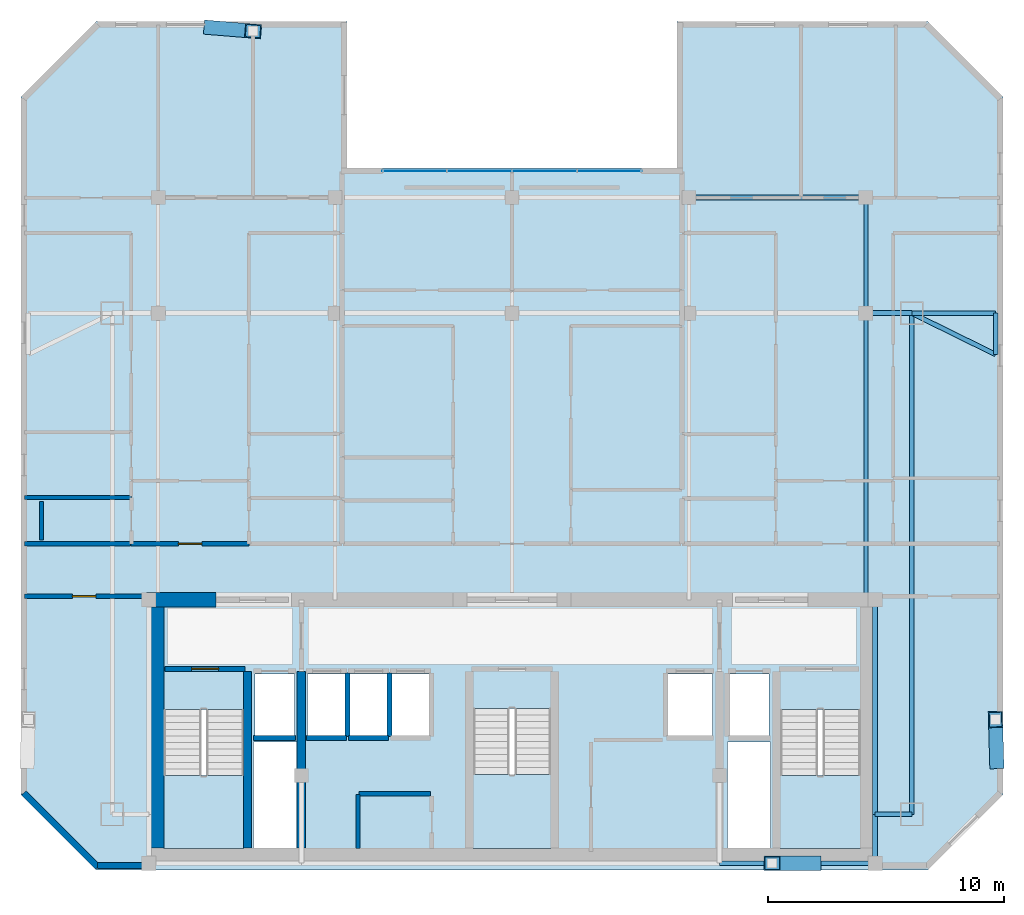
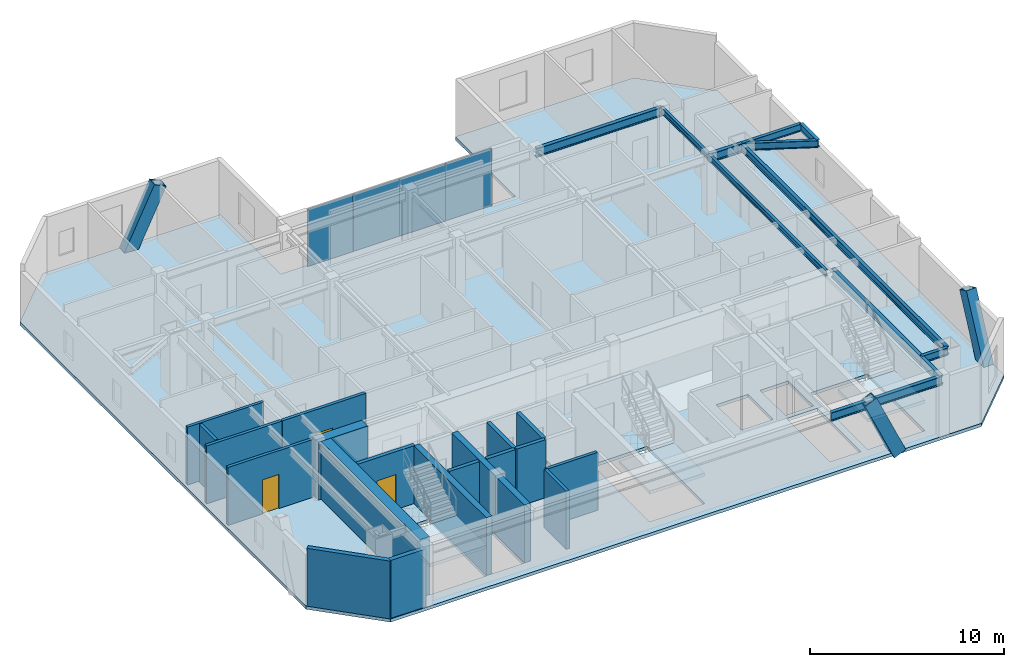
# One storey, part 5 of 11: 19 walls, 12 beams, 4 plates, 4 slabs, 3 doors, 3 members, 3 openings, 4 elements without a shape of their own.
"""IFC4 building model written with IfcOpenShell, lengths in metres."""

from ifc_helpers import new_model, si_unit, direction, frame, frame_2d, origin, origin_2d, place, context, subcontext, project, spatial, polyline, rectangle, hollow_rectangle, i_section, outline, extrude, material, layer, layer_set, material_profile, profile_set, type_object, element, fill, aggregate, save


model = new_model("IFC4")

# Units and contexts
model_context = context("Model", 3, precision=1e-05, world=origin(), true_north=direction((0.0, 1.0)))
body_context = subcontext(model_context, "Body", "Model", "MODEL_VIEW")
ifc_project = project(units=[si_unit("LENGTHUNIT", "METRE"), si_unit("AREAUNIT", "SQUARE_METRE"), si_unit("VOLUMEUNIT", "CUBIC_METRE"), si_unit("PLANEANGLEUNIT", "RADIAN"), si_unit("MASSUNIT", "GRAM", prefix="KILO")], contexts=[model_context])

# Site, building, storey
site_placement = place(None, origin())
site = spatial("IfcSite", under=ifc_project, at=site_placement, CompositionType="ELEMENT")
building_placement = place(site_placement, origin())
building = spatial("IfcBuilding", under=site, at=building_placement, Name="Ventersveld Concourse Tower", CompositionType="ELEMENT")
storey_placement = place(building_placement, frame((0.0, 0.0, 256.75)))
storey = spatial("IfcBuildingStorey", under=building, at=storey_placement, Name="L63", CompositionType="ELEMENT", Elevation=256.75)

# Beams
ifc_material_1 = material(Name="Structural steel S355J2", Category="steel")
ifc_material_profile_1 = material_profile(ifc_material_1, i_section(OverallWidth=0.17138671875, OverallDepth=0.35498046875, WebThickness=0.00732421875, FlangeThickness=0.011474609375, FilletRadius=0.01025390625, at=origin_2d()), Name="UB 356x171x51")
ifc_profile_set_1 = profile_set([ifc_material_profile_1], Name="Structural steel S355J2")
beam_type_1 = type_object("IfcBeamType", Name="BM-UB356", PredefinedType="BEAM", material=ifc_profile_set_1)
beam_1_placement = place(storey_placement, frame((43.75, 11.449951171875, 3.472412109375), z_axis=(0.0, 1.0, 0.0), x_axis=(-1.0, 0.0, 0.0)))
element("IfcBeam", 1, at=beam_1_placement, inside=storey, type_object=beam_type_1, Name="L63 N-S Composite Floor Beam South X=43.75", PredefinedType="BEAM", context=body_context, shape_type="SweptSolid", body=[
    extrude(i_section(OverallWidth=0.17138671875, OverallDepth=0.35498046875, WebThickness=0.00732421875, FlangeThickness=0.011474609375, FilletRadius=0.01025390625, at=origin_2d()), origin(), (0.0, 0.0, 1.0), 12.150146484375),
])
beam_2_placement = place(storey_placement, frame((43.75, 23.60009765625, 3.472412109375), z_axis=(0.0, 1.0, 0.0), x_axis=(-1.0, 0.0, 0.0)))
element("IfcBeam", 2, at=beam_2_placement, inside=storey, type_object=beam_type_1, Name="L63 N-S Upper-Zone Floor Beam X=43.75", PredefinedType="BEAM", context=body_context, shape_type="SweptSolid", body=[
    extrude(i_section(OverallWidth=0.17138671875, OverallDepth=0.35498046875, WebThickness=0.00732421875, FlangeThickness=0.011474609375, FilletRadius=0.01025390625, at=origin_2d()), origin(), (0.0, 0.0, 1.0), 4.89990234375),
])
ifc_material_profile_2 = material_profile(ifc_material_1, i_section(OverallWidth=0.2119140625, OverallDepth=0.54443359375, WebThickness=0.0126953125, FlangeThickness=0.021240234375, FilletRadius=0.0126953125, at=origin_2d()), Name="UB 533x210x122")
ifc_profile_set_2 = profile_set([ifc_material_profile_2], Name="Structural steel S355J2")
beam_type_2 = type_object("IfcBeamType", Name="GRD-UB533H", PredefinedType="T_BEAM", material=ifc_profile_set_2)
beam_3_placement = place(storey_placement, frame((44.14990234375, 0.280029296875, 3.377685546875), z_axis=(0.0, 1.0, 0.0), x_axis=(-1.0, 0.0, 0.0)))
element("IfcBeam", 3, at=beam_3_placement, inside=storey, type_object=beam_type_2, Name="L63 Core East Tie Beam S", PredefinedType="T_BEAM", context=body_context, shape_type="SweptSolid", body=[
    extrude(i_section(OverallWidth=0.2119140625, OverallDepth=0.54443359375, WebThickness=0.0126953125, FlangeThickness=0.021240234375, FilletRadius=0.0126953125, at=origin_2d()), origin(), (0.0, 0.0, 1.0), 2.070068359375),
])
beam_4_placement = place(storey_placement, frame((44.14990234375, 2.35009765625, 3.377685546875), z_axis=(0.0, 1.0, 0.0), x_axis=(-1.0, 0.0, 0.0)))
element("IfcBeam", 4, at=beam_4_placement, inside=storey, type_object=beam_type_2, Name="L63 Core East Tie Beam N", PredefinedType="T_BEAM", context=body_context, shape_type="SweptSolid", body=[
    extrude(i_section(OverallWidth=0.2119140625, OverallDepth=0.54443359375, WebThickness=0.0126953125, FlangeThickness=0.021240234375, FilletRadius=0.0126953125, at=origin_2d()), origin(), (0.0, 0.0, 1.0), 9.099853515625),
])
beam_5_placement = place(storey_placement, frame((37.550048828125, 0.280029296875, 3.377685546875), z_axis=(1.0, 0.0, 0.0), x_axis=(0.0, 1.0, 0.0)))
element("IfcBeam", 5, at=beam_5_placement, inside=storey, type_object=beam_type_2, Name="L63 Core South Tie Beam E", PredefinedType="T_BEAM", context=body_context, shape_type="SweptSolid", body=[
    extrude(i_section(OverallWidth=0.2119140625, OverallDepth=0.54443359375, WebThickness=0.0126953125, FlangeThickness=0.021240234375, FilletRadius=0.0126953125, at=origin_2d()), origin(), (0.0, 0.0, 1.0), 6.599853515625),
])
beam_6_placement = place(storey_placement, frame((43.75, 23.60009765625, 3.377685546875), z_axis=(1.0, 0.0, 0.0), x_axis=(0.0, 1.0, 0.0)))
element("IfcBeam", 6, at=beam_6_placement, inside=storey, type_object=beam_type_2, Name="L63 Primary E-W Grid Girder Y=23.60 #6", PredefinedType="T_BEAM", context=body_context, shape_type="SweptSolid", body=[
    extrude(i_section(OverallWidth=0.2119140625, OverallDepth=0.54443359375, WebThickness=0.0126953125, FlangeThickness=0.021240234375, FilletRadius=0.0126953125, at=origin_2d()), origin(), (0.0, 0.0, 1.0), 1.949951171875),
])
beam_7_placement = place(storey_placement, frame((36.25, 28.5, 3.377685546875), z_axis=(1.0, 0.0, 0.0), x_axis=(0.0, 1.0, 0.0)))
element("IfcBeam", 7, at=beam_7_placement, inside=storey, type_object=beam_type_2, Name="L63 Upper-North E-W Girder Y=28.50 #4", PredefinedType="T_BEAM", context=body_context, shape_type="SweptSolid", body=[
    extrude(i_section(OverallWidth=0.2119140625, OverallDepth=0.54443359375, WebThickness=0.0126953125, FlangeThickness=0.021240234375, FilletRadius=0.0126953125, at=origin_2d()), origin(), (0.0, 0.0, 1.0), 7.5),
])

# Members
ifc_material_2 = material(Name="Structural steel S355ML", Category="steel")
ifc_material_profile_3 = material_profile(ifc_material_2, hollow_rectangle(XDim=0.60009765625, YDim=0.75, WallThickness=0.0400390625, at=origin_2d()), Name="BOX 750x600x40")
ifc_profile_set_3 = profile_set([ifc_material_profile_3], Name="Structural steel S355ML")
member_type = type_object("IfcMemberType", Name="MB-750x600", PredefinedType="BRACE", material=ifc_profile_set_3)
member_1_placement = place(storey_placement, frame((16.031494140625, 35.7041015625, -0.199951171875), z_axis=(0.411520387884, -0.033787989742, 0.910774034602), x_axis=(0.081829907517, 0.996646309498, 0.0)))
element("IfcMember", 8, at=member_1_placement, inside=storey, type_object=member_type, Name="L63 Exterior Mega-Brace N (Module M15)", PredefinedType="BRACE", context=body_context, shape_type="SweptSolid", body=[
    extrude(hollow_rectangle(XDim=0.60009765625, YDim=0.75, WallThickness=0.0400390625, at=origin_2d()), origin(), (0.0, 0.0, 1.0), 4.22705078125),
])
member_2_placement = place(storey_placement, frame((41.518310546875, 0.280029296875, -0.199951171875), z_axis=(-0.411755490853, 0.0, 0.911294362844), x_axis=(0.0, -1.0, 0.0)))
element("IfcMember", 9, at=member_2_placement, inside=storey, type_object=member_type, Name="L63 Exterior Mega-Brace S (Module M15)", PredefinedType="BRACE", context=body_context, shape_type="SweptSolid", body=[
    extrude(hollow_rectangle(XDim=0.60009765625, YDim=0.75, WallThickness=0.0400390625, at=origin_2d()), origin(), (0.0, 0.0, 1.0), 4.224609375),
])
member_3_placement = place(storey_placement, frame((49.299560546875, 4.631591796875, -0.199951171875), z_axis=(-0.011730612407, 0.411727159605, 0.911231660324), x_axis=(-0.999594371896, -0.028479671227, 0.0)))
element("IfcMember", 10, at=member_3_placement, inside=storey, type_object=member_type, Name="L63 Exterior Mega-Brace E (Module M15)", PredefinedType="BRACE", context=body_context, shape_type="SweptSolid", body=[
    extrude(hollow_rectangle(XDim=0.60009765625, YDim=0.75, WallThickness=0.0400390625, at=origin_2d()), origin(), (0.0, 0.0, 1.0), 4.224853515625),
])

# Beams
ifc_material_profile_4 = material_profile(ifc_material_1, i_section(OverallWidth=0.19140625, OverallDepth=0.4599609375, WebThickness=0.010009765625, FlangeThickness=0.01611328125, FilletRadius=0.01025390625, at=origin_2d()), Name="UB 457x191x82")
ifc_profile_set_4 = profile_set([ifc_material_profile_4], Name="Structural steel S355J2")
beam_type_3 = type_object("IfcBeamType", Name="SPD-UB457", PredefinedType="SPANDREL", material=ifc_profile_set_4)
beam_8_placement = place(storey_placement, frame((44.14990234375, 2.35009765625, 3.419921875), z_axis=(1.0, 0.0, 0.0), x_axis=(0.0, 1.0, 0.0)))
element("IfcBeam", 11, at=beam_8_placement, inside=storey, type_object=beam_type_3, Name="L63 SE Spandrel Beam", PredefinedType="SPANDREL", context=body_context, shape_type="SweptSolid", body=[
    extrude(i_section(OverallWidth=0.19140625, OverallDepth=0.4599609375, WebThickness=0.010009765625, FlangeThickness=0.01611328125, FilletRadius=0.01025390625, at=origin_2d()), origin(), (0.0, 0.0, 1.0), 1.550048828125),
])
beam_9_placement = place(storey_placement, frame((45.699951171875, 2.35009765625, 3.419921875), z_axis=(0.0, 1.0, 0.0), x_axis=(-1.0, 0.0, 0.0)))
element("IfcBeam", 12, at=beam_9_placement, inside=storey, type_object=beam_type_3, Name="L63 East Spandrel Beam", PredefinedType="SPANDREL", context=body_context, shape_type="SweptSolid", body=[
    extrude(i_section(OverallWidth=0.19140625, OverallDepth=0.4599609375, WebThickness=0.010009765625, FlangeThickness=0.01611328125, FilletRadius=0.01025390625, at=origin_2d()), origin(), (0.0, 0.0, 1.0), 21.25),
])
beam_10_placement = place(storey_placement, frame((45.699951171875, 23.60009765625, 3.419921875), z_axis=(1.0, 0.0, 0.0), x_axis=(0.0, 1.0, 0.0)))
element("IfcBeam", 13, at=beam_10_placement, inside=storey, type_object=beam_type_3, Name="L63 East Valley Bracket S", PredefinedType="SPANDREL", context=body_context, shape_type="SweptSolid", body=[
    extrude(i_section(OverallWidth=0.19140625, OverallDepth=0.4599609375, WebThickness=0.010009765625, FlangeThickness=0.01611328125, FilletRadius=0.01025390625, at=origin_2d()), origin(), (0.0, 0.0, 1.0), 3.55224609375),
])
beam_11_placement = place(storey_placement, frame((45.699951171875, 23.60009765625, 3.419921875), z_axis=(0.897050367263, -0.441928318388, 0.0), x_axis=(0.441928318388, 0.897050367263, 0.0)))
element("IfcBeam", 14, at=beam_11_placement, inside=storey, type_object=beam_type_3, Name="L63 East Valley Diagonal Bracket", PredefinedType="SPANDREL", context=body_context, shape_type="SweptSolid", body=[
    extrude(i_section(OverallWidth=0.19140625, OverallDepth=0.4599609375, WebThickness=0.010009765625, FlangeThickness=0.01611328125, FilletRadius=0.01025390625, at=origin_2d()), origin(), (0.0, 0.0, 1.0), 3.9599609375),
])
beam_12_placement = place(storey_placement, frame((49.252197265625, 21.85009765625, 3.419921875), z_axis=(0.0, 1.0, 0.0), x_axis=(-1.0, 0.0, 0.0)))
element("IfcBeam", 15, at=beam_12_placement, inside=storey, type_object=beam_type_3, Name="L63 East Valley Edge Beam", PredefinedType="SPANDREL", context=body_context, shape_type="SweptSolid", body=[
    extrude(i_section(OverallWidth=0.19140625, OverallDepth=0.4599609375, WebThickness=0.010009765625, FlangeThickness=0.01611328125, FilletRadius=0.01025390625, at=origin_2d()), origin(), (0.0, 0.0, 1.0), 1.75),
])

# Curtain wall, plates
ifc_material_3 = material(Name="Anodised aluminium EN AW-6063-T6", Category="aluminium")
curtain_wall_type = type_object("IfcCurtainWallType", Name="CW-SG-4", PredefinedType="NOTDEFINED", material=ifc_material_3)
curtain_wall_placement = place(storey_placement, origin())
curtain_wall = element("IfcCurtainWall", 16, at=curtain_wall_placement, inside=storey, type_object=curtain_wall_type, Name="L63 L63 Sky Garden Recessed Curtain Wall", PredefinedType="NOTDEFINED")
ifc_material_4 = material(Name="Low-E double glazing IGU", Category="glass")
ifc_layer_1 = layer(ifc_material_4, 0.02392578125)
ifc_layer_set_1 = layer_set([ifc_layer_1], Name="Low-E double glazing IGU")
plate_type = type_object("IfcPlateType", Name="CWP-GLZ-24", PredefinedType="CURTAIN_PANEL", material=ifc_layer_set_1)
plate_1_placement = place(storey_placement, frame((24.625, 29.63623046875, 0.02001953125), z_axis=(0.0, 0.0, 1.0), x_axis=(1.0, 0.0, 0.0)))
plate_1 = element("IfcPlate", 17, at=plate_1_placement, type_object=plate_type, Name="CW-L63-SG Glazed Panel 01-1", PredefinedType="CURTAIN_PANEL", context=body_context, shape_type="SweptSolid", body=[
    extrude(rectangle(XDim=2.739990234375, YDim=0.02392578125, at=origin_2d()), origin(), (0.0, 0.0, 1.0), 3.610107421875),
])
plate_2_placement = place(storey_placement, frame((27.375, 29.63623046875, 0.02001953125), z_axis=(0.0, 0.0, 1.0), x_axis=(1.0, 0.0, 0.0)))
plate_2 = element("IfcPlate", 18, at=plate_2_placement, type_object=plate_type, Name="CW-L63-SG Glazed Panel 02-1", PredefinedType="CURTAIN_PANEL", context=body_context, shape_type="SweptSolid", body=[
    extrude(rectangle(XDim=2.739990234375, YDim=0.02392578125, at=origin_2d()), origin(), (0.0, 0.0, 1.0), 3.610107421875),
])
plate_3_placement = place(storey_placement, frame((30.125, 29.63623046875, 0.02001953125), z_axis=(0.0, 0.0, 1.0), x_axis=(1.0, 0.0, 0.0)))
plate_3 = element("IfcPlate", 19, at=plate_3_placement, type_object=plate_type, Name="CW-L63-SG Glazed Panel 03-1", PredefinedType="CURTAIN_PANEL", context=body_context, shape_type="SweptSolid", body=[
    extrude(rectangle(XDim=2.739990234375, YDim=0.02392578125, at=origin_2d()), origin(), (0.0, 0.0, 1.0), 3.610107421875),
])
plate_4_placement = place(storey_placement, frame((32.875, 29.63623046875, 0.02001953125), z_axis=(0.0, 0.0, 1.0), x_axis=(1.0, 0.0, 0.0)))
plate_4 = element("IfcPlate", 20, at=plate_4_placement, type_object=plate_type, Name="CW-L63-SG Glazed Panel 04-1", PredefinedType="CURTAIN_PANEL", context=body_context, shape_type="SweptSolid", body=[
    extrude(rectangle(XDim=2.739990234375, YDim=0.02392578125, at=origin_2d()), origin(), (0.0, 0.0, 1.0), 3.610107421875),
])
aggregate(curtain_wall, [plate_1, plate_2, plate_3, plate_4])

# Slab
ifc_material_5 = material(Name="Concrete C50/60", Category="concrete")
ifc_layer_2 = layer(ifc_material_5, 0.199951171875)
ifc_layer_set_2 = layer_set([ifc_layer_2], Name="Concrete C50/60")
slab_type_1 = type_object("IfcSlabType", Name="SL-FLR-200", PredefinedType="FLOOR", material=ifc_layer_set_2)
slab_1_placement = place(storey_placement, frame((0.0, 0.0, -0.199951171875)))
element("IfcSlab", 21, at=slab_1_placement, inside=storey, type_object=slab_type_1, Name="L63 Composite Floor Slab", PredefinedType="FLOOR", context=body_context, shape_type="SweptSolid", body=[
    extrude(outline(polyline([(11.126708984375, 0.0), (46.373291015625, 0.0), (49.573486328125, 3.199951171875), (49.573486328125, 32.766357421875), (46.373291015625, 35.96630859375), (35.75, 35.96630859375), (35.75, 29.766357421875), (21.75, 29.766357421875), (21.75, 35.96630859375), (11.126708984375, 35.96630859375), (7.926513671875, 32.766357421875), (7.926513671875, 3.199951171875), (11.126708984375, 0.0)]), holes=[polyline([(13.97998046875, 6.794921875), (13.97998046875, 0.89990234375), (17.3798828125, 0.89990234375), (17.3798828125, 6.794921875), (13.97998046875, 6.794921875)]), polyline([(40.1201171875, 6.794921875), (40.1201171875, 0.89990234375), (43.52001953125, 0.89990234375), (43.52001953125, 6.794921875), (40.1201171875, 6.794921875)]), polyline([(27.10009765625, 6.844970703125), (27.10009765625, 0.89990234375), (30.39990234375, 0.89990234375), (30.39990234375, 6.844970703125), (27.10009765625, 6.844970703125)]), polyline([(17.85009765625, 5.699951171875), (19.530029296875, 5.699951171875), (19.530029296875, 8.300048828125), (17.85009765625, 8.300048828125), (17.85009765625, 5.699951171875)]), polyline([(37.969970703125, 5.699951171875), (39.64990234375, 5.699951171875), (39.64990234375, 8.300048828125), (37.969970703125, 8.300048828125), (37.969970703125, 5.699951171875)]), polyline([(35.35009765625, 5.699951171875), (37.25, 5.699951171875), (37.25, 8.300048828125), (35.35009765625, 8.300048828125), (35.35009765625, 5.699951171875)]), polyline([(20.090087890625, 5.699951171875), (21.68994140625, 5.699951171875), (21.68994140625, 8.300048828125), (20.090087890625, 8.300048828125), (20.090087890625, 5.699951171875)]), polyline([(21.8701171875, 5.699951171875), (23.469970703125, 5.699951171875), (23.469970703125, 8.300048828125), (21.8701171875, 8.300048828125), (21.8701171875, 5.699951171875)]), polyline([(23.64990234375, 5.699951171875), (25.25, 5.699951171875), (25.25, 8.300048828125), (23.64990234375, 8.300048828125), (23.64990234375, 5.699951171875)]), polyline([(17.780029296875, 0.919921875), (19.6201171875, 0.919921875), (19.6201171875, 5.419921875), (17.780029296875, 5.419921875), (17.780029296875, 0.919921875)]), polyline([(37.8798828125, 0.919921875), (39.719970703125, 0.919921875), (39.719970703125, 5.419921875), (37.8798828125, 5.419921875), (37.8798828125, 0.919921875)])]), origin(), (0.0, 0.0, 1.0), 0.199951171875),
])

# Stair, slab
stair_type_1 = type_object("IfcStairType", Name="ST-DOG-160", PredefinedType="HALF_TURN_STAIR", material=ifc_material_5)
stair_1_placement = place(storey_placement, origin())
stair_1 = element("IfcStair", 22, at=stair_1_placement, inside=storey, type_object=stair_type_1, Name="L63 Protected Tower Escape Stair ST-01", PredefinedType="HALF_TURN_STAIR")
ifc_layer_3 = layer(ifc_material_5, 0.199951171875)
ifc_layer_set_3 = layer_set([ifc_layer_3], Name="Concrete C50/60")
slab_type_2 = type_object("IfcSlabType", Name="SL-LND-200", PredefinedType="LANDING", material=ifc_layer_set_3)
slab_2_placement = place(storey_placement, frame((0.0, 0.0, 1.72509765625)))
slab_2 = element("IfcSlab", 23, at=slab_2_placement, type_object=slab_type_2, Name="ST-01 landing 1", PredefinedType="LANDING", context=body_context, shape_type="SweptSolid", body=[
    extrude(outline(polyline([(13.97998046875, 4.0), (13.97998046875, 0.89990234375), (17.3798828125, 0.89990234375), (17.3798828125, 4.0), (13.97998046875, 4.0)])), origin(), (0.0, 0.0, 1.0), 0.199951171875),
])
aggregate(stair_1, [slab_2])

stair_2_placement = place(storey_placement, origin())
stair_2 = element("IfcStair", 24, at=stair_2_placement, inside=storey, type_object=stair_type_1, Name="L63 Protected Tower Escape Stair ST-02", PredefinedType="HALF_TURN_STAIR")
slab_3_placement = place(storey_placement, frame((0.0, 0.0, 1.72509765625)))
slab_3 = element("IfcSlab", 25, at=slab_3_placement, type_object=slab_type_2, Name="ST-02 landing 1", PredefinedType="LANDING", context=body_context, shape_type="SweptSolid", body=[
    extrude(outline(polyline([(40.1201171875, 4.0), (40.1201171875, 0.89990234375), (43.52001953125, 0.89990234375), (43.52001953125, 4.0), (40.1201171875, 4.0)])), origin(), (0.0, 0.0, 1.0), 0.199951171875),
])
aggregate(stair_2, [slab_3])

stair_type_2 = type_object("IfcStairType", Name="ST-DOG-155", PredefinedType="HALF_TURN_STAIR", material=ifc_material_5)
stair_3_placement = place(storey_placement, origin())
stair_3 = element("IfcStair", 26, at=stair_3_placement, inside=storey, type_object=stair_type_2, Name="L63 Protected Central Core Escape Stair ST-03", PredefinedType="HALF_TURN_STAIR")
slab_4_placement = place(storey_placement, frame((0.0, 0.0, 1.72509765625)))
slab_4 = element("IfcSlab", 27, at=slab_4_placement, type_object=slab_type_2, Name="ST-03 landing 1", PredefinedType="LANDING", context=body_context, shape_type="SweptSolid", body=[
    extrude(outline(polyline([(27.10009765625, 4.050048828125), (27.10009765625, 0.89990234375), (30.39990234375, 0.89990234375), (30.39990234375, 4.050048828125), (27.10009765625, 4.050048828125)])), origin(), (0.0, 0.0, 1.0), 0.199951171875),
])
aggregate(stair_3, [slab_4])

# Walls
ifc_layer_4 = layer(ifc_material_5, 0.35009765625)
ifc_layer_set_4 = layer_set([ifc_layer_4], Name="Concrete C50/60")
wall_type_1 = type_object("IfcWallType", Name="WL-CORE-350U", PredefinedType="SHEAR", material=ifc_layer_set_4)
for number, where, z_axis, x_axis, name in (
    (28, (17.5400390625, 0.919921875, 0.0), (0.0, 0.0, 1.0), (0.0, 1.0, 0.0), "L63 Core Internal Shear Web W-ST1-E"),
    (29, (19.820068359375, 0.919921875, 0.0), (0.0, 0.0, 1.0), (0.0, 1.0, 0.0), "L63 Core Internal Shear Web W-FF1-E"),
):
    element("IfcWall", number, at=place(storey_placement, frame(where, z_axis=z_axis, x_axis=x_axis)), inside=storey, type_object=wall_type_1, Name=name, PredefinedType="SHEAR", context=body_context, shape_type="SweptSolid", body=[
        extrude(rectangle(XDim=7.5, YDim=0.35009765625, at=frame_2d((3.75, 0.0))), origin(), (0.0, 0.0, 1.0), 3.64990234375),
    ])
ifc_layer_5 = layer(ifc_material_5, 0.60009765625)
ifc_layer_set_5 = layer_set([ifc_layer_5], Name="Concrete C50/60")
wall_type_2 = type_object("IfcWallType", Name="WL-CORE-600", PredefinedType="SHEAR", material=ifc_layer_set_5)
wall_1_placement = place(storey_placement, frame((13.699951171875, 0.919921875, 0.0), z_axis=(0.0, 0.0, 1.0), x_axis=(0.0, 1.0, 0.0)))
element("IfcWall", 30, at=wall_1_placement, inside=storey, type_object=wall_type_2, Name="L63 Rear Core West Shear Wall", PredefinedType="SHEAR", context=body_context, shape_type="SweptSolid", body=[
    extrude(rectangle(XDim=10.530029296875, YDim=0.60009765625, at=frame_2d((5.26513671875, 0.0))), origin(), (0.0, 0.0, 1.0), 3.64990234375),
])
wall_2_placement = place(storey_placement, frame((13.25, 11.449951171875, 0.0), z_axis=(0.0, 0.0, 1.0), x_axis=(1.0, 0.0, 0.0)))
element("IfcWall", 31, at=wall_2_placement, inside=storey, type_object=wall_type_2, Name="L63 Rear Core North Shear Wall NW", PredefinedType="SHEAR", context=body_context, shape_type="SweptSolid", body=[
    extrude(rectangle(XDim=2.949951171875, YDim=0.60009765625, at=frame_2d((1.47509765625, 0.0))), origin(), (0.0, 0.0, 1.0), 3.64990234375),
])
ifc_material_6 = material(Name="Fire-rated autoclaved aerated masonry blockwork", Category="masonry")
ifc_layer_6 = layer(ifc_material_6, 0.179931640625)
ifc_layer_set_6 = layer_set([ifc_layer_6], Name="Fire-rated autoclaved aerated masonry blockwork")
wall_type_3 = type_object("IfcWallType", Name="WL-CORR-180", PredefinedType="PARTITIONING", material=ifc_layer_set_6)
wall_3_placement = place(storey_placement, frame((22.260009765625, 3.22998046875, 0.0), z_axis=(0.0, 0.0, 1.0), x_axis=(1.0, 0.0, 0.0)))
element("IfcWall", 32, at=wall_3_placement, inside=storey, type_object=wall_type_3, Name="L63 Core Top Wall SP-L63-RECB1", PredefinedType="PARTITIONING", context=body_context, shape_type="SweptSolid", body=[
    extrude(rectangle(XDim=3.0400390625, YDim=0.179931640625, at=frame_2d((1.52001953125, 0.0))), origin(), (0.0, 0.0, 1.0), 3.64990234375),
])
wall_4_placement = place(storey_placement, frame((22.219970703125, 0.909912109375, 0.0), z_axis=(0.0, 0.0, 1.0), x_axis=(0.0, 1.0, 0.0)))
element("IfcWall", 33, at=wall_4_placement, inside=storey, type_object=wall_type_3, Name="L63 Core West Wall SP-L63-RECB1", PredefinedType="PARTITIONING", context=body_context, shape_type="SweptSolid", body=[
    extrude(rectangle(XDim=2.280029296875, YDim=0.179931640625, at=frame_2d((1.14013671875, 0.0))), origin(), (0.0, 0.0, 1.0), 3.64990234375),
])

# Wall, opening, door
wall_5_placement = place(storey_placement, frame((8.076171875, 11.60009765625, 0.0), z_axis=(0.0, 0.0, 1.0), x_axis=(1.0, 0.0, 0.0)))
wall_5 = element("IfcWall", 34, at=wall_5_placement, inside=storey, type_object=wall_type_3, Name="L63 Interior Partition SP-L63-SW-GAL-SP-L63-COR", PredefinedType="PARTITIONING", context=body_context, shape_type="SweptSolid", body=[
    extrude(rectangle(XDim=5.06884765625, YDim=0.179931640625, at=frame_2d((2.534423828125, 0.0))), origin(), (0.0, 0.0, 1.0), 3.64990234375),
])
opening_1_placement = place(wall_5_placement, frame((2.034423828125, 0.0, 0.0)))
opening_1 = element("IfcOpeningElement", 35, at=opening_1_placement, cuts=wall_5, Name="Opening FD3", PredefinedType="OPENING", context=body_context, shape_type="SweptSolid", body=[
    extrude(rectangle(XDim=1.0, YDim=2.14990234375, at=frame_2d((0.5, 1.074951171875))), frame((0.0, 0.10009765625, 0.0), z_axis=(0.0, -1.0, 0.0), x_axis=(1.0, 0.0, 0.0)), (0.0, 0.0, 1.0), 0.199951171875),
])
ifc_material_7 = material(Name="Solid-core hardwood veneer timber", Category="wood")
door_type_1 = type_object("IfcDoorType", Name="DR-FLAT-100", OperationType="NOTDEFINED", PredefinedType="DOOR", material=ifc_material_7)
door_1_placement = place(opening_1_placement, origin())
door_1 = element("IfcDoor", 36, at=door_1_placement, inside=storey, type_object=door_type_1, Name="L63 Interior Door SP-L63-SW-GAL to SP-L63-COR (D-L63-2980)", OperationType="SINGLE_SWING_RIGHT", OverallHeight=2.14990234375, OverallWidth=1.0, PredefinedType="DOOR", context=body_context, shape_type="SweptSolid", body=[
    extrude(rectangle(XDim=1.0, YDim=2.14990234375, at=frame_2d((0.5, 1.074951171875))), frame((0.0, 0.02490234375, 0.0), z_axis=(0.0, -1.0, 0.0), x_axis=(1.0, 0.0, 0.0)), (0.0, 0.0, 1.0), 0.050048828125),
])
fill(opening_1, door_1)

wall_6_placement = place(storey_placement, frame((12.60693359375, 13.830078125, 0.0), z_axis=(0.0, 0.0, 1.0), x_axis=(1.0, 0.0, 0.0)))
wall_6 = element("IfcWall", 37, at=wall_6_placement, inside=storey, type_object=wall_type_3, Name="L63 Interior Partition SP-L63-COR-SP-L63-63CW-FOY", PredefinedType="PARTITIONING", context=body_context, shape_type="SweptSolid", body=[
    extrude(rectangle(XDim=4.989990234375, YDim=0.179931640625, at=frame_2d((2.4951171875, 0.0))), origin(), (0.0, 0.0, 1.0), 3.64990234375),
])
opening_2_placement = place(wall_6_placement, frame((1.9951171875, 0.0, 0.0)))
opening_2 = element("IfcOpeningElement", 38, at=opening_2_placement, cuts=wall_6, Name="Opening FD3", PredefinedType="OPENING", context=body_context, shape_type="SweptSolid", body=[
    extrude(rectangle(XDim=1.0, YDim=2.14990234375, at=frame_2d((0.5, 1.074951171875))), frame((0.0, 0.10009765625, 0.0), z_axis=(0.0, -1.0, 0.0), x_axis=(1.0, 0.0, 0.0)), (0.0, 0.0, 1.0), 0.199951171875),
])
door_2_placement = place(opening_2_placement, origin())
door_2 = element("IfcDoor", 39, at=door_2_placement, inside=storey, type_object=door_type_1, Name="L63 Interior Door SP-L63-COR to SP-L63-63CW-FOY (FD-L63-2982)", OperationType="SINGLE_SWING_RIGHT", OverallHeight=2.14990234375, OverallWidth=1.0, PredefinedType="DOOR", context=body_context, shape_type="SweptSolid", body=[
    extrude(rectangle(XDim=1.0, YDim=2.14990234375, at=frame_2d((0.5, 1.074951171875))), frame((0.0, 0.02490234375, 0.0), z_axis=(0.0, -1.0, 0.0), x_axis=(1.0, 0.0, 0.0)), (0.0, 0.0, 1.0), 0.050048828125),
])
fill(opening_2, door_2)

# Walls
wall_7_placement = place(storey_placement, frame((8.076171875, 13.830078125, 0.0), z_axis=(0.0, 0.0, 1.0), x_axis=(1.0, 0.0, 0.0)))
element("IfcWall", 40, at=wall_7_placement, inside=storey, type_object=wall_type_3, Name="L63 Interior Partition SP-L63-COR-SP-L63-63CW-BATH", PredefinedType="PARTITIONING", context=body_context, shape_type="SweptSolid", body=[
    extrude(rectangle(XDim=4.500732421875, YDim=0.179931640625, at=frame_2d((2.25048828125, 0.0))), origin(), (0.0, 0.0, 1.0), 3.64990234375),
])
ifc_layer_7 = layer(ifc_material_6, 0.219970703125)
ifc_layer_set_7 = layer_set([ifc_layer_7], Name="Fire-rated autoclaved aerated masonry blockwork")
wall_type_4 = type_object("IfcWallType", Name="WL-HOIST-220", PredefinedType="SOLIDWALL", material=ifc_layer_set_7)
wall_8_placement = place(storey_placement, frame((17.800048828125, 5.590087890625, 0.0), z_axis=(0.0, 0.0, 1.0), x_axis=(1.0, 0.0, 0.0)))
element("IfcWall", 41, at=wall_8_placement, inside=storey, type_object=wall_type_4, Name="L63 Lift Hoistway Back Wall FFL-01", PredefinedType="SOLIDWALL", context=body_context, shape_type="SweptSolid", body=[
    extrude(rectangle(XDim=1.780029296875, YDim=0.219970703125, at=frame_2d((0.89013671875, 0.0))), origin(), (0.0, 0.0, 1.0), 3.64990234375),
])
wall_9_placement = place(storey_placement, frame((20.0400390625, 5.590087890625, 0.0), z_axis=(0.0, 0.0, 1.0), x_axis=(1.0, 0.0, 0.0)))
element("IfcWall", 42, at=wall_9_placement, inside=storey, type_object=wall_type_4, Name="L63 Lift Hoistway Back Wall PH-01", PredefinedType="SOLIDWALL", context=body_context, shape_type="SweptSolid", body=[
    extrude(rectangle(XDim=1.699951171875, YDim=0.219970703125, at=frame_2d((0.85009765625, 0.0))), origin(), (0.0, 0.0, 1.0), 3.64990234375),
])
wall_10_placement = place(storey_placement, frame((21.780029296875, 5.64990234375, 0.0), z_axis=(0.0, 0.0, 1.0), x_axis=(0.0, 1.0, 0.0)))
element("IfcWall", 43, at=wall_10_placement, inside=storey, type_object=wall_type_4, Name="L63 Lift Hoistway Side Wall PH-01E", PredefinedType="SOLIDWALL", context=body_context, shape_type="SweptSolid", body=[
    extrude(rectangle(XDim=2.7001953125, YDim=0.219970703125, at=frame_2d((1.35009765625, 0.0))), origin(), (0.0, 0.0, 1.0), 3.64990234375),
])
wall_11_placement = place(storey_placement, frame((21.820068359375, 5.590087890625, 0.0), z_axis=(0.0, 0.0, 1.0), x_axis=(1.0, 0.0, 0.0)))
element("IfcWall", 44, at=wall_11_placement, inside=storey, type_object=wall_type_4, Name="L63 Lift Hoistway Back Wall PH-02", PredefinedType="SOLIDWALL", context=body_context, shape_type="SweptSolid", body=[
    extrude(rectangle(XDim=1.699951171875, YDim=0.219970703125, at=frame_2d((0.85009765625, 0.0))), origin(), (0.0, 0.0, 1.0), 3.64990234375),
])
wall_12_placement = place(storey_placement, frame((23.56005859375, 5.64990234375, 0.0), z_axis=(0.0, 0.0, 1.0), x_axis=(0.0, 1.0, 0.0)))
element("IfcWall", 45, at=wall_12_placement, inside=storey, type_object=wall_type_4, Name="L63 Lift Hoistway Side Wall PH-02E", PredefinedType="SOLIDWALL", context=body_context, shape_type="SweptSolid", body=[
    extrude(rectangle(XDim=2.7001953125, YDim=0.219970703125, at=frame_2d((1.35009765625, 0.0))), origin(), (0.0, 0.0, 1.0), 3.64990234375),
])

# Wall, opening, door
wall_13_placement = place(storey_placement, frame((14.0400390625, 8.52001953125, 0.0), z_axis=(0.0, 0.0, 1.0), x_axis=(1.0, 0.0, 0.0)))
wall_13 = element("IfcWall", 46, at=wall_13_placement, inside=storey, type_object=wall_type_4, Name="L63 Escape Stair ST01 Fire Wall", PredefinedType="SOLIDWALL", context=body_context, shape_type="SweptSolid", body=[
    extrude(rectangle(XDim=3.39990234375, YDim=0.219970703125, at=frame_2d((1.699951171875, 0.0))), origin(), (0.0, 0.0, 1.0), 3.64990234375),
])
opening_3_placement = place(wall_13_placement, frame((1.125, 0.0, 0.0)))
opening_3 = element("IfcOpeningElement", 47, at=opening_3_placement, cuts=wall_13, Name="Opening FD1", PredefinedType="OPENING", context=body_context, shape_type="SweptSolid", body=[
    extrude(rectangle(XDim=1.14990234375, YDim=2.199951171875, at=frame_2d((0.574951171875, 1.10009765625))), frame((0.0, 0.1201171875, 0.0), z_axis=(0.0, -1.0, 0.0), x_axis=(1.0, 0.0, 0.0)), (0.0, 0.0, 1.0), 0.239990234375),
])
ifc_material_8 = material(Name="Galvanised painted steel", Category="steel")
door_type_2 = type_object("IfcDoorType", Name="DR-STAIR-115", OperationType="NOTDEFINED", PredefinedType="DOOR", material=ifc_material_8)
door_3_placement = place(opening_3_placement, origin())
door_3 = element("IfcDoor", 48, at=door_3_placement, inside=storey, type_object=door_type_2, Name="L63 Escape Stair Door ST01 (SD-L63-2970)", OperationType="SINGLE_SWING_LEFT", OverallHeight=2.199951171875, OverallWidth=1.14990234375, PredefinedType="DOOR", context=body_context, shape_type="SweptSolid", body=[
    extrude(rectangle(XDim=1.14990234375, YDim=2.199951171875, at=frame_2d((0.574951171875, 1.10009765625))), frame((0.0, 0.02490234375, 0.0), z_axis=(0.0, -1.0, 0.0), x_axis=(1.0, 0.0, 0.0)), (0.0, 0.0, 1.0), 0.050048828125),
])
fill(opening_3, door_3)

# Walls
ifc_material_9 = material(Name="Precast concrete C45/55", Category="concrete")
ifc_layer_8 = layer(ifc_material_9, 0.260009765625)
ifc_layer_set_8 = layer_set([ifc_layer_8], Name="Precast concrete C45/55")
wall_type_5 = type_object("IfcWallType", Name="WL-PREC-260", PredefinedType="SOLIDWALL", material=ifc_layer_set_8)
wall_14_placement = place(storey_placement, frame((11.16650390625, 0.179931640625, 0.0), z_axis=(0.0, 0.0, 1.0), x_axis=(1.0, 0.0, 0.0)))
element("IfcWall", 49, at=wall_14_placement, inside=storey, type_object=wall_type_5, Name="L63 South-West Flank Precast Wall", PredefinedType="SOLIDWALL", context=body_context, shape_type="SweptSolid", body=[
    extrude(rectangle(XDim=2.08349609375, YDim=0.260009765625, at=frame_2d((1.041748046875, 0.0))), origin(), (0.0, 0.0, 1.0), 3.64990234375),
])
wall_15_placement = place(storey_placement, frame((8.046875, 3.263671875, 0.0), z_axis=(0.0, 0.0, 1.0), x_axis=(0.707079321262, -0.707134240044, 0.0)))
element("IfcWall", 50, at=wall_15_placement, inside=storey, type_object=wall_type_5, Name="L63 Highveld Precast Facade Wall E12", PredefinedType="SOLIDWALL", context=body_context, shape_type="SweptSolid", body=[
    extrude(rectangle(XDim=4.445556640625, YDim=0.260009765625, at=frame_2d((2.22265625, 0.0))), origin(), (0.0, 0.0, 1.0), 3.64990234375),
])
ifc_material_10 = material(Name="Autoclaved aerated masonry blockwork", Category="masonry")
ifc_layer_9 = layer(ifc_material_10, 0.1650390625)
ifc_layer_set_9 = layer_set([ifc_layer_9], Name="Autoclaved aerated masonry blockwork")
wall_type_6 = type_object("IfcWallType", Name="WL-WET-165", PredefinedType="PLUMBINGWALL", material=ifc_layer_set_9)
wall_16_placement = place(storey_placement, frame((8.076171875, 15.786376953125, 0.0), z_axis=(0.0, 0.0, 1.0), x_axis=(1.0, 0.0, 0.0)))
element("IfcWall", 51, at=wall_16_placement, inside=storey, type_object=wall_type_6, Name="L63 Interior Partition SP-L63-63CW-BATH-SP-L63-63CW-PANL0", PredefinedType="PLUMBINGWALL", context=body_context, shape_type="SweptSolid", body=[
    extrude(rectangle(XDim=4.540771484375, YDim=0.1650390625, at=frame_2d((2.2705078125, 0.0))), origin(), (0.0, 0.0, 1.0), 3.64990234375),
])
wall_17_placement = place(storey_placement, frame((8.806640625, 13.9951171875, 0.0), z_axis=(0.0, 0.0, 1.0), x_axis=(0.0, 1.0, 0.0)))
element("IfcWall", 52, at=wall_17_placement, inside=storey, type_object=wall_type_6, Name="L63 Room Enclosure Wall SP-L63-63CW-BATH", PredefinedType="PLUMBINGWALL", context=body_context, shape_type="SweptSolid", body=[
    extrude(rectangle(XDim=1.626220703125, YDim=0.1650390625, at=frame_2d((0.81298828125, 0.0))), origin(), (0.0, 0.0, 1.0), 3.64990234375),
])

save(model, "model.ifc")
